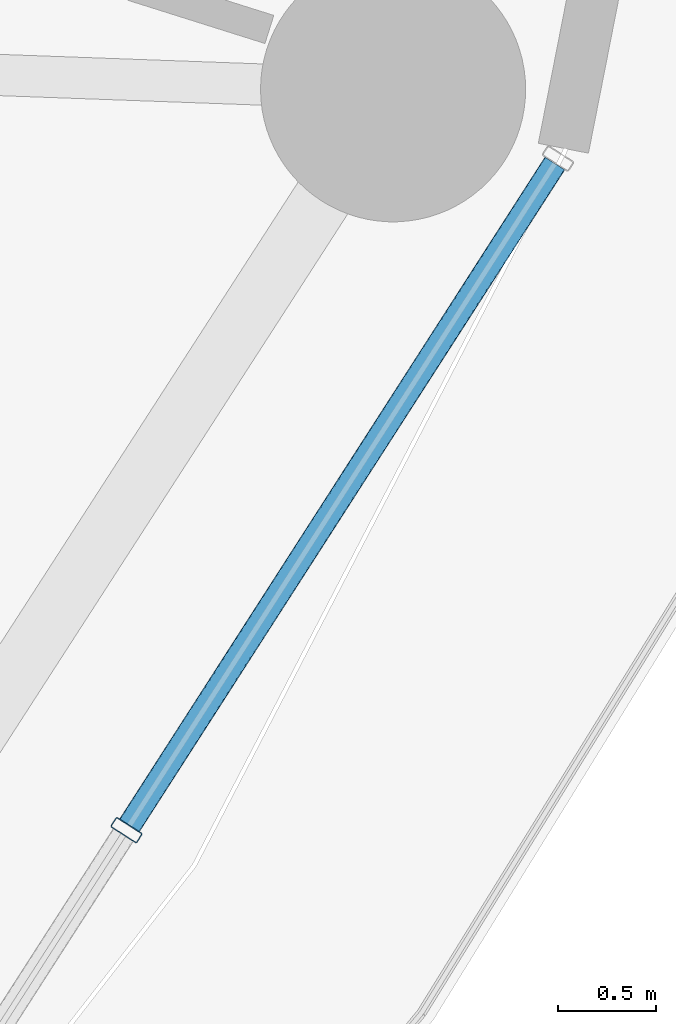
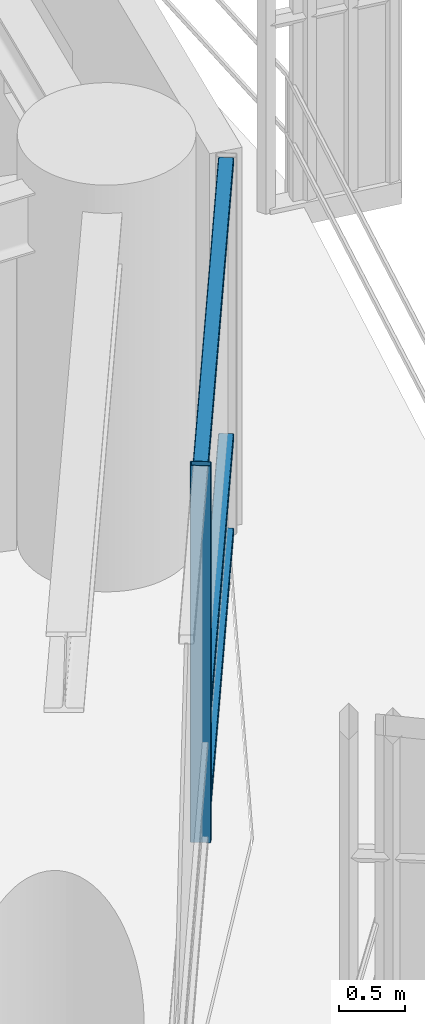
# One storey, part 14 of 38: 4 members, 1 element without a shape of its own.
"""IFC4 building model written with IfcOpenShell, lengths in metres."""

import ifcopenshell
import ifcopenshell.guid

model = None  # the IFC model being written
_history = None  # IfcOwnerHistory: only IFC2X3 demands one
_inside = {}  # id of a spatial element -> (the spatial element, [elements in it])
_under = {}  # id of a project, library or spatial element -> (it, [spatial elements below it])
_declared = {}  # id of a project -> (the project, [libraries it declares])
_typed = {}  # id of a type object -> (the type object, [elements of that type])
_made_of = {}  # id of a material, layer set ... -> (it, [elements and type objects made of it])


def new_model(schema):
    """Start an empty IFC model of exactly this schema.

    Asked for "IFC4X3", IfcOpenShell would pick the latest addendum, in which some entities
    have other attributes; the version numbers below select the first issue.
    IFC2X3 requires an IfcOwnerHistory on every rooted entity: one is made here for all.
    """
    global model, _history
    if schema == "IFC4X3":
        model = ifcopenshell.file(schema_version=(4, 3, 0, 0))
    else:
        model = ifcopenshell.file(schema=schema)
    _inside.clear()
    _under.clear()
    _declared.clear()
    _typed.clear()
    _made_of.clear()
    _history = None
    if model.schema == "IFC2X3":
        org = make("IfcOrganization", Name="unknown")
        user = make(
            "IfcPersonAndOrganization",
            ThePerson=make("IfcPerson", FamilyName="unknown"),
            TheOrganization=org,
        )
        app = make(
            "IfcApplication",
            ApplicationDeveloper=org,
            Version="unknown",
            ApplicationFullName="unknown",
            ApplicationIdentifier="unknown",
        )
        _history = make(
            "IfcOwnerHistory",
            OwningUser=user,
            OwningApplication=app,
            ChangeAction="ADDED",
            CreationDate=0,
        )
    return model


def make(cls, **values):
    """One entity of the class cls with the attributes given. An attribute that is None is left unset."""
    return model.create_entity(
        cls, **{name: value for name, value in values.items() if value is not None}
    )


def rooted(cls, **values):
    """An entity with a GlobalId (a new one), such as an element, a storey or a relation."""
    return make(cls, GlobalId=ifcopenshell.guid.new(), OwnerHistory=_history, **values)


def si_unit(unit_type, name, prefix=None):
    """IfcSIUnit, for example si_unit("LENGTHUNIT", "METRE", prefix="MILLI")."""
    return make("IfcSIUnit", UnitType=unit_type, Prefix=prefix, Name=name)


def assignment(units):
    """IfcUnitAssignment: the units of a project."""
    return None if units is None else make("IfcUnitAssignment", Units=units)


def point(xyz):
    """IfcCartesianPoint."""
    return None if xyz is None else make("IfcCartesianPoint", Coordinates=xyz)


def direction(xyz):
    """IfcDirection."""
    return None if xyz is None else make("IfcDirection", DirectionRatios=xyz)


def frame(location, z_axis=None, x_axis=None):
    """IfcAxis2Placement3D, a coordinate frame: its origin and axes. An axis left out is left unset."""
    return make(
        "IfcAxis2Placement3D",
        Location=point(location),
        Axis=direction(z_axis),
        RefDirection=direction(x_axis),
    )


def frame_2d(location, x_axis=None):
    """IfcAxis2Placement2D, a coordinate frame in the plane: its origin and x axis."""
    return make(
        "IfcAxis2Placement2D", Location=point(location), RefDirection=direction(x_axis)
    )


def origin():
    """The frame at (0, 0, 0) with its axes left unset."""
    return frame((0.0, 0.0, 0.0))


def origin_2d():
    """The frame at (0, 0) in the plane with its x axis left unset."""
    return frame_2d((0.0, 0.0))


def place(relative_to, where):
    """IfcLocalPlacement: puts the frame where relative to a parent placement (None: the world)."""
    return make(
        "IfcLocalPlacement", PlacementRelTo=relative_to, RelativePlacement=where
    )


def context(
    kind, dimensions, precision=None, world=None, true_north=None, identifier=None
):
    """IfcGeometricRepresentationContext, for example the 3D "Model" context."""
    return make(
        "IfcGeometricRepresentationContext",
        ContextIdentifier=identifier,
        ContextType=kind,
        CoordinateSpaceDimension=dimensions,
        Precision=precision,
        WorldCoordinateSystem=world,
        TrueNorth=true_north,
    )


def subcontext(parent, identifier, kind, view, scale=None):
    """IfcGeometricRepresentationSubContext, for example "Body" below "Model"."""
    return make(
        "IfcGeometricRepresentationSubContext",
        ContextIdentifier=identifier,
        ContextType=kind,
        ParentContext=parent,
        TargetScale=scale,
        TargetView=view,
    )


def project(units=None, contexts=None):
    """IfcProject with its units and contexts."""
    return rooted(
        "IfcProject",
        Name="project",
        RepresentationContexts=contexts,
        UnitsInContext=assignment(units),
    )


def spatial(cls, under=None, at=None, **own):
    """A site, building, storey or space (cls), placed at a placement, below another one or the project."""
    s = rooted(cls, ObjectPlacement=at, **own)
    if under is not None:
        _under.setdefault(under.id(), (under, []))[1].append(s)
    return s


def profile(cls, at=None, kind="AREA", **sizes):
    """A parametric profile (cls). Its sizes go by their IFC names, for example OverallWidth=200.0."""
    return make(cls, ProfileType=kind, Position=at, **sizes)


def hollow_rectangle(**sizes):
    """IfcRectangleHollowProfileDef."""
    return profile("IfcRectangleHollowProfileDef", **sizes)


def extrude(swept, where, along, depth):
    """IfcExtrudedAreaSolid: the profile swept, set in the frame where, extruded along a direction by depth."""
    return make(
        "IfcExtrudedAreaSolid",
        SweptArea=swept,
        Position=where,
        ExtrudedDirection=direction(along),
        Depth=depth,
    )


def shape(context_of_items, identifier, shape_type, items):
    """IfcShapeRepresentation: the items that make up one representation, for example the "Body"."""
    return make(
        "IfcShapeRepresentation",
        ContextOfItems=context_of_items,
        RepresentationIdentifier=identifier,
        RepresentationType=shape_type,
        Items=items,
    )


def material(Name=None, Category=None):
    """IfcMaterial."""
    return make("IfcMaterial", Name=Name, Category=Category)


def layer(
    of_material, thickness, ventilated=None, Name=None, Category=None, Priority=None
):
    """IfcMaterialLayer: one layer of a wall or slab, of a material (None: an air gap)."""
    return make(
        "IfcMaterialLayer",
        Material=of_material,
        LayerThickness=thickness,
        IsVentilated=ventilated,
        Name=Name,
        Category=Category,
        Priority=Priority,
    )


def layer_set(layers, Name=None):
    """IfcMaterialLayerSet."""
    return make("IfcMaterialLayerSet", MaterialLayers=layers, LayerSetName=Name)


def material_profile(
    of_material, cross_section, Name=None, Category=None, Priority=None
):
    """IfcMaterialProfile: a cross section and its material."""
    return make(
        "IfcMaterialProfile",
        Name=Name,
        Material=of_material,
        Profile=cross_section,
        Priority=Priority,
        Category=Category,
    )


def profile_set(profiles, Name=None, composite=None):
    """IfcMaterialProfileSet."""
    return make(
        "IfcMaterialProfileSet",
        Name=Name,
        MaterialProfiles=profiles,
        CompositeProfile=composite,
    )


def made_of(thing, what):
    """Note that an element or type object is made of a material, layer set ...; save() writes the relation."""
    if what is not None:
        _made_of.setdefault(what.id(), (what, []))[1].append(thing)
    return thing


def type_object(cls, material=None, **own):
    """A type object (cls), such as IfcWallType, which elements share."""
    return made_of(rooted(cls, **own), material)


def element(
    cls,
    number,
    at=None,
    inside=None,
    cuts=None,
    type_object=None,
    material=None,
    context=None,
    identifier="Body",
    shape_type=None,
    held_by="IfcProductDefinitionShape",
    body=None,
    shapes=None,
    **own,
):
    """One element of the class cls, such as IfcWall. Its Tag is "e" and its number.

    at: its placement. inside: the storey or other place that contains it. cuts: it is an
    opening in that element (IfcRelVoidsElement). A single representation is given by context,
    identifier, shape_type and body (its items); several are given by shapes. held_by: the class
    of the entity that holds the representations. save() writes the other relations.
    """
    e = rooted(cls, Tag="e%d" % number, ObjectPlacement=at, **own)
    if body is not None:
        shapes = [shape(context, identifier, shape_type, body)]
    if shapes is not None:
        e.Representation = make(held_by, Representations=shapes)
    if inside is not None:
        _inside.setdefault(inside.id(), (inside, []))[1].append(e)
    if cuts is not None:
        rooted(
            "IfcRelVoidsElement", RelatingBuildingElement=cuts, RelatedOpeningElement=e
        )
    if type_object is not None:
        _typed.setdefault(type_object.id(), (type_object, []))[1].append(e)
    return made_of(e, material)


def aggregate(whole, parts):
    """IfcRelAggregates: a whole, such as a stair, and the parts it consists of."""
    return rooted("IfcRelAggregates", RelatingObject=whole, RelatedObjects=parts)


def save(model, path):
    """Write the relations noted so far, then the file.

    IfcRelAggregates (storeys below a building ...), IfcRelContainedInSpatialStructure (elements
    in a storey), IfcRelDefinesByType, IfcRelAssociatesMaterial and IfcRelDeclares: one each for
    every whole, place, type object, material and project.
    """
    for whole, parts in _under.values():
        aggregate(whole, parts)
    for where, things in _inside.values():
        rooted(
            "IfcRelContainedInSpatialStructure",
            RelatedElements=things,
            RelatingStructure=where,
        )
    for kind, things in _typed.values():
        rooted("IfcRelDefinesByType", RelatedObjects=things, RelatingType=kind)
    for what, things in _made_of.values():
        rooted("IfcRelAssociatesMaterial", RelatedObjects=things, RelatingMaterial=what)
    for by, libraries in _declared.values():
        rooted("IfcRelDeclares", RelatingContext=by, RelatedDefinitions=libraries)
    model.write(path)


model = new_model("IFC4")

# Units and contexts
model_context = context("Model", 3, precision=1e-05, world=origin(), true_north=direction((0.0, 1.0)))
body_context = subcontext(model_context, "Body", "Model", "MODEL_VIEW")
ifc_project = project(units=[si_unit("LENGTHUNIT", "METRE"), si_unit("AREAUNIT", "SQUARE_METRE"), si_unit("VOLUMEUNIT", "CUBIC_METRE"), si_unit("PLANEANGLEUNIT", "RADIAN"), si_unit("MASSUNIT", "GRAM", prefix="KILO")], contexts=[model_context])

# Site, building, storey
site_placement = place(None, origin())
site = spatial("IfcSite", under=ifc_project, at=site_placement, CompositionType="ELEMENT")
building_placement = place(site_placement, origin())
building = spatial("IfcBuilding", under=site, at=building_placement, Name="Kelanora Arch Commons", CompositionType="ELEMENT")
storey_placement = place(building_placement, frame((0.0, 0.0, 106.35009765625)))
storey = spatial("IfcBuildingStorey", under=building, at=storey_placement, Name="L27", CompositionType="ELEMENT", Elevation=106.35009765625)

# Curtain wall, members
ifc_material_1 = material(Name="Terracotta ceramic-fritted low-E glass and aluminium", Category="masonry")
ifc_layer = layer(ifc_material_1, 0.159912109375)
ifc_layer_set = layer_set([ifc_layer], Name="Terracotta ceramic-fritted low-E glass and aluminium")
curtain_wall_type = type_object("IfcCurtainWallType", Name="CW-SYS-01", PredefinedType="NOTDEFINED", material=ifc_layer_set)
curtain_wall_placement = place(storey_placement, origin())
curtain_wall = element("IfcCurtainWall", 1, at=curtain_wall_placement, inside=storey, type_object=curtain_wall_type, Name="Unitised Curtain Wall L27-B16", PredefinedType="NOTDEFINED")
ifc_material_2 = material(Name="Powder-coated aluminium terracotta", Category="masonry")
ifc_material_profile_1 = material_profile(ifc_material_2, hollow_rectangle(XDim=0.159912109375, YDim=0.06005859375, WallThickness=0.0048828125, InnerFilletRadius=0.0048828125, OuterFilletRadius=0.010009765625, at=origin_2d()), Name="CWM160x60")
ifc_profile_set_1 = profile_set([ifc_material_profile_1], Name="Powder-coated aluminium terracotta")
member_type_1 = type_object("IfcMemberType", Name="CWM-STD", PredefinedType="MULLION", material=ifc_profile_set_1)
member_1_placement = place(storey_placement, frame((95.83349609375, 46.6748046875, 0.0), z_axis=(0.0, 0.0, 1.0), x_axis=(-0.841268883088, 0.540616931244, 0.0)))
member_1 = element("IfcMember", 2, at=member_1_placement, type_object=member_type_1, Name="CW-01 mullion 2", PredefinedType="MULLION", context=body_context, shape_type="SweptSolid", body=[
    extrude(hollow_rectangle(XDim=0.159912109375, YDim=0.06005859375, WallThickness=0.0048828125, InnerFilletRadius=0.0048828125, OuterFilletRadius=0.010009765625, at=origin_2d()), origin(), (0.0, 0.0, 1.0), 3.474853515625),
])
ifc_material_profile_2 = material_profile(ifc_material_2, hollow_rectangle(XDim=0.1201171875, YDim=0.06005859375, WallThickness=0.0048828125, InnerFilletRadius=0.0048828125, OuterFilletRadius=0.010009765625, at=origin_2d()), Name="CWT120x60")
ifc_profile_set_2 = profile_set([ifc_material_profile_2], Name="Powder-coated aluminium terracotta")
member_type_2 = type_object("IfcMemberType", Name="CWT-STD", PredefinedType="USERDEFINED", material=ifc_profile_set_2)
member_2_placement = place(storey_placement, frame((95.849609375, 46.699951171875, 0.02978515625), z_axis=(0.540643629734, 0.841251725483, 0.0), x_axis=(-0.841251725483, 0.540643629734, 0.0)))
member_2 = element("IfcMember", 3, at=member_2_placement, type_object=member_type_2, Name="CW-01 transom 2.1", ObjectType="TRANSOM", PredefinedType="USERDEFINED", context=body_context, shape_type="SweptSolid", body=[
    extrude(hollow_rectangle(XDim=0.1201171875, YDim=0.06005859375, WallThickness=0.0048828125, InnerFilletRadius=0.0048828125, OuterFilletRadius=0.010009765625, at=origin_2d()), origin(), (0.0, 0.0, 1.0), 4.00634765625),
])
member_3_placement = place(storey_placement, frame((95.849609375, 46.699951171875, 0.89990234375), z_axis=(0.540643629734, 0.841251725483, 0.0), x_axis=(-0.841251725483, 0.540643629734, 0.0)))
member_3 = element("IfcMember", 4, at=member_3_placement, type_object=member_type_2, Name="CW-01 transom 2.2", ObjectType="TRANSOM", PredefinedType="USERDEFINED", context=body_context, shape_type="SweptSolid", body=[
    extrude(hollow_rectangle(XDim=0.1201171875, YDim=0.06005859375, WallThickness=0.0048828125, InnerFilletRadius=0.0048828125, OuterFilletRadius=0.010009765625, at=origin_2d()), origin(), (0.0, 0.0, 1.0), 4.00634765625),
])
member_4_placement = place(storey_placement, frame((95.849609375, 46.699951171875, 3.44482421875), z_axis=(0.540643629734, 0.841251725483, 0.0), x_axis=(-0.841251725483, 0.540643629734, 0.0)))
member_4 = element("IfcMember", 5, at=member_4_placement, type_object=member_type_2, Name="CW-01 transom 2.3", ObjectType="TRANSOM", PredefinedType="USERDEFINED", context=body_context, shape_type="SweptSolid", body=[
    extrude(hollow_rectangle(XDim=0.1201171875, YDim=0.06005859375, WallThickness=0.0048828125, InnerFilletRadius=0.0048828125, OuterFilletRadius=0.010009765625, at=origin_2d()), origin(), (0.0, 0.0, 1.0), 4.00634765625),
])
aggregate(curtain_wall, [member_1, member_2, member_3, member_4])

save(model, "model.ifc")
